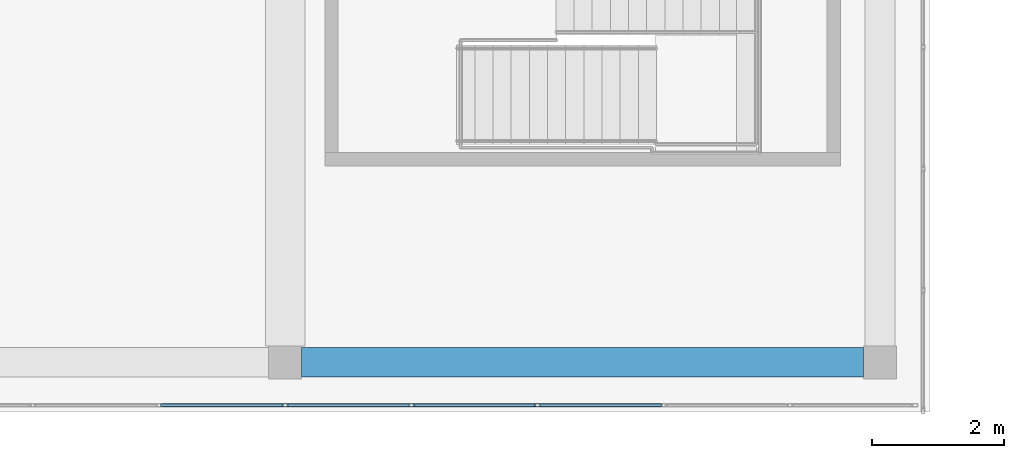
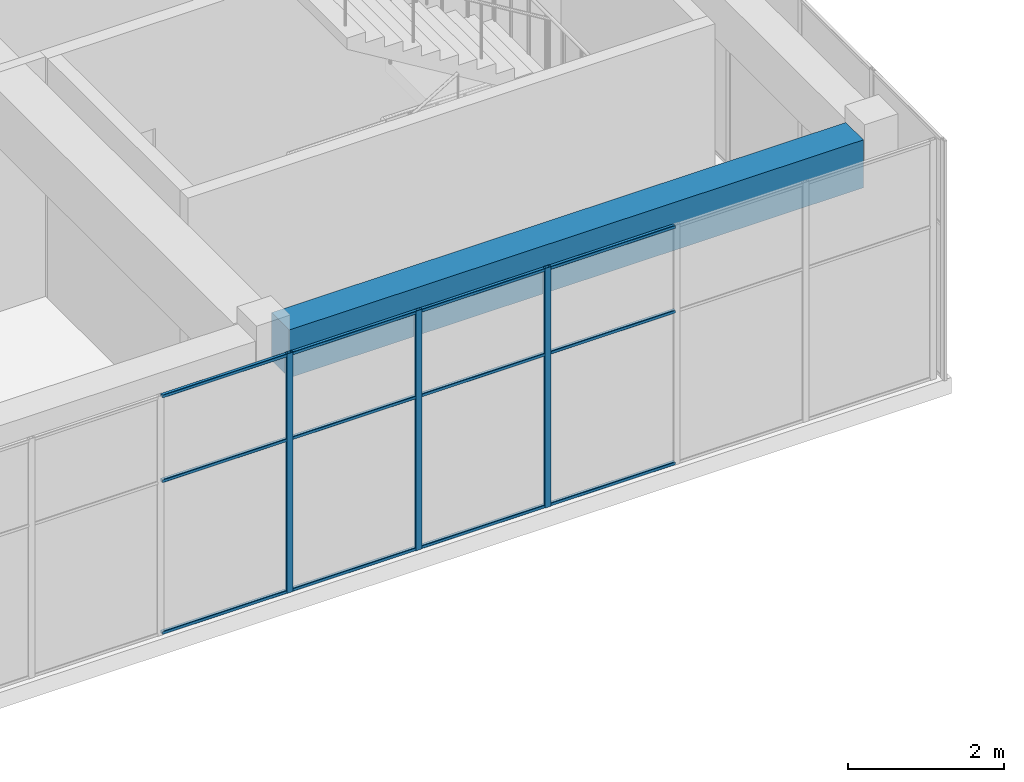
# One storey, part 7 of 34: 15 members, 1 beam, 1 element without a shape of its own.
"""IFC4 building model written with IfcOpenShell, lengths in metres."""

from ifc_helpers import new_model, si_unit, direction, frame, origin, origin_2d, place, context, subcontext, project, spatial, rectangle, hollow_rectangle, extrude, material, layer, layer_set, material_profile, profile_set, type_object, element, aggregate, save


model = new_model("IFC4")

# Units and contexts
model_context = context("Model", 3, precision=1e-05, world=origin(), true_north=direction((0.0, 1.0)))
body_context = subcontext(model_context, "Body", "Model", "MODEL_VIEW")
ifc_project = project(units=[si_unit("LENGTHUNIT", "METRE"), si_unit("AREAUNIT", "SQUARE_METRE"), si_unit("VOLUMEUNIT", "CUBIC_METRE"), si_unit("PLANEANGLEUNIT", "RADIAN"), si_unit("MASSUNIT", "GRAM", prefix="KILO")], contexts=[model_context])

# Site, building, storey
site_placement = place(None, origin())
site = spatial("IfcSite", under=ifc_project, at=site_placement, CompositionType="ELEMENT")
building_placement = place(site_placement, origin())
building = spatial("IfcBuilding", under=site, at=building_placement, Name="Tuart Plaza Theatre", CompositionType="ELEMENT")
storey_placement = place(building_placement, frame((0.0, 0.0, 57.5)))
storey = spatial("IfcBuildingStorey", under=building, at=storey_placement, Name="L14", CompositionType="ELEMENT", Elevation=57.5)

# Beam
ifc_material_1 = material(Name="Concrete N40 (40 MPa)", Category="concrete")
ifc_material_profile_1 = material_profile(ifc_material_1, rectangle(XDim=0.449951171875, YDim=0.75, at=origin_2d()), Name="BEAM 450x750 Concrete N40 (40 MPa)")
ifc_profile_set_1 = profile_set([ifc_material_profile_1], Name="Concrete N40 (40 MPa)")
beam_type = type_object("IfcBeamType", Name="BEAM 450x750 Concrete N40 (40 MPa)", PredefinedType="BEAM", material=ifc_profile_set_1)
beam_placement = place(storey_placement, frame((132.25, 56.0, 3.375), z_axis=(1.0, 0.0, 0.0), x_axis=(0.0, 1.0, 0.0)))
element("IfcBeam", 1, at=beam_placement, inside=storey, type_object=beam_type, Name="RB334", PredefinedType="BEAM", context=body_context, shape_type="SweptSolid", body=[
    extrude(rectangle(XDim=0.449951171875, YDim=0.75, at=origin_2d()), origin(), (0.0, 0.0, 1.0), 8.5),
])

# Curtain wall, members
ifc_material_2 = material(Name="Aluminium and glass", Category="aluminium")
ifc_layer = layer(ifc_material_2, 0.10009765625)
ifc_layer_set = layer_set([ifc_layer], Name="CURTAIN WALL 2000 module")
curtain_wall_type = type_object("IfcCurtainWallType", Name="CURTAIN WALL 2000 module", PredefinedType="NOTDEFINED", material=ifc_layer_set)
curtain_wall_placement = place(storey_placement, origin())
curtain_wall = element("IfcCurtainWall", 2, at=curtain_wall_placement, inside=storey, type_object=curtain_wall_type, Name="CW122", PredefinedType="NOTDEFINED")
ifc_material_3 = material(Name="Aluminium 6063-T5", Category="aluminium")
ifc_material_profile_2 = material_profile(ifc_material_3, hollow_rectangle(XDim=0.050048828125, YDim=0.10009765625, WallThickness=0.00390625, InnerFilletRadius=0.00390625, OuterFilletRadius=0.008056640625, at=origin_2d()), Name="RHS 100x50x4")
ifc_profile_set_2 = profile_set([ifc_material_profile_2], Name="Aluminium 6063-T5")
member_type_1 = type_object("IfcMemberType", Name="MULLION RHS 100x50x4", PredefinedType="MULLION", material=ifc_profile_set_2)
member_1_placement = place(storey_placement, frame((132.0, 55.35009765625, 0.0), z_axis=(0.0, 0.0, 1.0), x_axis=(0.0, 1.0, 0.0)))
member_1 = element("IfcMember", 3, at=member_1_placement, type_object=member_type_1, Name="CW122 mullion 6", PredefinedType="MULLION", context=body_context, shape_type="SweptSolid", body=[
    extrude(hollow_rectangle(XDim=0.050048828125, YDim=0.10009765625, WallThickness=0.00390625, InnerFilletRadius=0.00390625, OuterFilletRadius=0.008056640625, at=origin_2d()), origin(), (0.0, 0.0, 1.0), 3.75),
])
member_2_placement = place(storey_placement, frame((133.909912109375, 55.35009765625, 0.0), z_axis=(0.0, 0.0, 1.0), x_axis=(0.0, 1.0, 0.0)))
member_2 = element("IfcMember", 4, at=member_2_placement, type_object=member_type_1, Name="CW122 mullion 7", PredefinedType="MULLION", context=body_context, shape_type="SweptSolid", body=[
    extrude(hollow_rectangle(XDim=0.050048828125, YDim=0.10009765625, WallThickness=0.00390625, InnerFilletRadius=0.00390625, OuterFilletRadius=0.008056640625, at=origin_2d()), origin(), (0.0, 0.0, 1.0), 3.75),
])
member_3_placement = place(storey_placement, frame((135.820068359375, 55.35009765625, 0.0), z_axis=(0.0, 0.0, 1.0), x_axis=(0.0, 1.0, 0.0)))
member_3 = element("IfcMember", 5, at=member_3_placement, type_object=member_type_1, Name="CW122 mullion 8", PredefinedType="MULLION", context=body_context, shape_type="SweptSolid", body=[
    extrude(hollow_rectangle(XDim=0.050048828125, YDim=0.10009765625, WallThickness=0.00390625, InnerFilletRadius=0.00390625, OuterFilletRadius=0.008056640625, at=origin_2d()), origin(), (0.0, 0.0, 1.0), 3.75),
])
ifc_material_4 = material(Name="Aluminium 6063-T5", Category="aluminium")
ifc_material_profile_3 = material_profile(ifc_material_4, hollow_rectangle(XDim=0.050048828125, YDim=0.050048828125, WallThickness=0.00390625, InnerFilletRadius=0.00390625, OuterFilletRadius=0.008056640625, at=origin_2d()), Name="RHS 50x50x4")
ifc_profile_set_3 = profile_set([ifc_material_profile_3], Name="Aluminium 6063-T5")
member_type_2 = type_object("IfcMemberType", Name="TRANSOM RHS 50x50x4", PredefinedType="USERDEFINED", material=ifc_profile_set_3)
member_4_placement = place(storey_placement, frame((130.114990234375, 55.35009765625, 0.02490234375), z_axis=(1.0, 0.0, 0.0), x_axis=(0.0, 1.0, 0.0)))
member_4 = element("IfcMember", 6, at=member_4_placement, type_object=member_type_2, Name="CW122 transom 5.1", ObjectType="TRANSOM", PredefinedType="USERDEFINED", context=body_context, shape_type="SweptSolid", body=[
    extrude(hollow_rectangle(XDim=0.050048828125, YDim=0.050048828125, WallThickness=0.00390625, InnerFilletRadius=0.00390625, OuterFilletRadius=0.008056640625, at=origin_2d()), origin(), (0.0, 0.0, 1.0), 1.860107421875),
])
member_5_placement = place(storey_placement, frame((130.114990234375, 55.35009765625, 2.39990234375), z_axis=(1.0, 0.0, 0.0), x_axis=(0.0, 1.0, 0.0)))
member_5 = element("IfcMember", 7, at=member_5_placement, type_object=member_type_2, Name="CW122 transom 5.2", ObjectType="TRANSOM", PredefinedType="USERDEFINED", context=body_context, shape_type="SweptSolid", body=[
    extrude(hollow_rectangle(XDim=0.050048828125, YDim=0.050048828125, WallThickness=0.00390625, InnerFilletRadius=0.00390625, OuterFilletRadius=0.008056640625, at=origin_2d()), origin(), (0.0, 0.0, 1.0), 1.860107421875),
])
member_6_placement = place(storey_placement, frame((130.114990234375, 55.35009765625, 3.72509765625), z_axis=(1.0, 0.0, 0.0), x_axis=(0.0, 1.0, 0.0)))
member_6 = element("IfcMember", 8, at=member_6_placement, type_object=member_type_2, Name="CW122 transom 5.3", ObjectType="TRANSOM", PredefinedType="USERDEFINED", context=body_context, shape_type="SweptSolid", body=[
    extrude(hollow_rectangle(XDim=0.050048828125, YDim=0.050048828125, WallThickness=0.00390625, InnerFilletRadius=0.00390625, OuterFilletRadius=0.008056640625, at=origin_2d()), origin(), (0.0, 0.0, 1.0), 1.860107421875),
])
member_7_placement = place(storey_placement, frame((132.02490234375, 55.35009765625, 0.02490234375), z_axis=(1.0, 0.0, 0.0), x_axis=(0.0, 1.0, 0.0)))
member_7 = element("IfcMember", 9, at=member_7_placement, type_object=member_type_2, Name="CW122 transom 6.1", ObjectType="TRANSOM", PredefinedType="USERDEFINED", context=body_context, shape_type="SweptSolid", body=[
    extrude(hollow_rectangle(XDim=0.050048828125, YDim=0.050048828125, WallThickness=0.00390625, InnerFilletRadius=0.00390625, OuterFilletRadius=0.008056640625, at=origin_2d()), origin(), (0.0, 0.0, 1.0), 1.860107421875),
])
member_8_placement = place(storey_placement, frame((132.02490234375, 55.35009765625, 2.39990234375), z_axis=(1.0, 0.0, 0.0), x_axis=(0.0, 1.0, 0.0)))
member_8 = element("IfcMember", 10, at=member_8_placement, type_object=member_type_2, Name="CW122 transom 6.2", ObjectType="TRANSOM", PredefinedType="USERDEFINED", context=body_context, shape_type="SweptSolid", body=[
    extrude(hollow_rectangle(XDim=0.050048828125, YDim=0.050048828125, WallThickness=0.00390625, InnerFilletRadius=0.00390625, OuterFilletRadius=0.008056640625, at=origin_2d()), origin(), (0.0, 0.0, 1.0), 1.860107421875),
])
member_9_placement = place(storey_placement, frame((132.02490234375, 55.35009765625, 3.72509765625), z_axis=(1.0, 0.0, 0.0), x_axis=(0.0, 1.0, 0.0)))
member_9 = element("IfcMember", 11, at=member_9_placement, type_object=member_type_2, Name="CW122 transom 6.3", ObjectType="TRANSOM", PredefinedType="USERDEFINED", context=body_context, shape_type="SweptSolid", body=[
    extrude(hollow_rectangle(XDim=0.050048828125, YDim=0.050048828125, WallThickness=0.00390625, InnerFilletRadius=0.00390625, OuterFilletRadius=0.008056640625, at=origin_2d()), origin(), (0.0, 0.0, 1.0), 1.860107421875),
])
member_10_placement = place(storey_placement, frame((133.93505859375, 55.35009765625, 0.02490234375), z_axis=(1.0, 0.0, 0.0), x_axis=(0.0, 1.0, 0.0)))
member_10 = element("IfcMember", 12, at=member_10_placement, type_object=member_type_2, Name="CW122 transom 7.1", ObjectType="TRANSOM", PredefinedType="USERDEFINED", context=body_context, shape_type="SweptSolid", body=[
    extrude(hollow_rectangle(XDim=0.050048828125, YDim=0.050048828125, WallThickness=0.00390625, InnerFilletRadius=0.00390625, OuterFilletRadius=0.008056640625, at=origin_2d()), origin(), (0.0, 0.0, 1.0), 1.85986328125),
])
member_11_placement = place(storey_placement, frame((133.93505859375, 55.35009765625, 2.39990234375), z_axis=(1.0, 0.0, 0.0), x_axis=(0.0, 1.0, 0.0)))
member_11 = element("IfcMember", 13, at=member_11_placement, type_object=member_type_2, Name="CW122 transom 7.2", ObjectType="TRANSOM", PredefinedType="USERDEFINED", context=body_context, shape_type="SweptSolid", body=[
    extrude(hollow_rectangle(XDim=0.050048828125, YDim=0.050048828125, WallThickness=0.00390625, InnerFilletRadius=0.00390625, OuterFilletRadius=0.008056640625, at=origin_2d()), origin(), (0.0, 0.0, 1.0), 1.85986328125),
])
member_12_placement = place(storey_placement, frame((133.93505859375, 55.35009765625, 3.72509765625), z_axis=(1.0, 0.0, 0.0), x_axis=(0.0, 1.0, 0.0)))
member_12 = element("IfcMember", 14, at=member_12_placement, type_object=member_type_2, Name="CW122 transom 7.3", ObjectType="TRANSOM", PredefinedType="USERDEFINED", context=body_context, shape_type="SweptSolid", body=[
    extrude(hollow_rectangle(XDim=0.050048828125, YDim=0.050048828125, WallThickness=0.00390625, InnerFilletRadius=0.00390625, OuterFilletRadius=0.008056640625, at=origin_2d()), origin(), (0.0, 0.0, 1.0), 1.85986328125),
])
member_13_placement = place(storey_placement, frame((135.844970703125, 55.35009765625, 0.02490234375), z_axis=(1.0, 0.0, 0.0), x_axis=(0.0, 1.0, 0.0)))
member_13 = element("IfcMember", 15, at=member_13_placement, type_object=member_type_2, Name="CW122 transom 8.1", ObjectType="TRANSOM", PredefinedType="USERDEFINED", context=body_context, shape_type="SweptSolid", body=[
    extrude(hollow_rectangle(XDim=0.050048828125, YDim=0.050048828125, WallThickness=0.00390625, InnerFilletRadius=0.00390625, OuterFilletRadius=0.008056640625, at=origin_2d()), origin(), (0.0, 0.0, 1.0), 1.860107421875),
])
member_14_placement = place(storey_placement, frame((135.844970703125, 55.35009765625, 2.39990234375), z_axis=(1.0, 0.0, 0.0), x_axis=(0.0, 1.0, 0.0)))
member_14 = element("IfcMember", 16, at=member_14_placement, type_object=member_type_2, Name="CW122 transom 8.2", ObjectType="TRANSOM", PredefinedType="USERDEFINED", context=body_context, shape_type="SweptSolid", body=[
    extrude(hollow_rectangle(XDim=0.050048828125, YDim=0.050048828125, WallThickness=0.00390625, InnerFilletRadius=0.00390625, OuterFilletRadius=0.008056640625, at=origin_2d()), origin(), (0.0, 0.0, 1.0), 1.860107421875),
])
member_15_placement = place(storey_placement, frame((135.844970703125, 55.35009765625, 3.72509765625), z_axis=(1.0, 0.0, 0.0), x_axis=(0.0, 1.0, 0.0)))
member_15 = element("IfcMember", 17, at=member_15_placement, type_object=member_type_2, Name="CW122 transom 8.3", ObjectType="TRANSOM", PredefinedType="USERDEFINED", context=body_context, shape_type="SweptSolid", body=[
    extrude(hollow_rectangle(XDim=0.050048828125, YDim=0.050048828125, WallThickness=0.00390625, InnerFilletRadius=0.00390625, OuterFilletRadius=0.008056640625, at=origin_2d()), origin(), (0.0, 0.0, 1.0), 1.860107421875),
])
aggregate(curtain_wall, [member_1, member_2, member_3, member_4, member_5, member_6, member_7, member_8, member_9, member_10, member_11, member_12, member_13, member_14, member_15])

save(model, "model.ifc")
